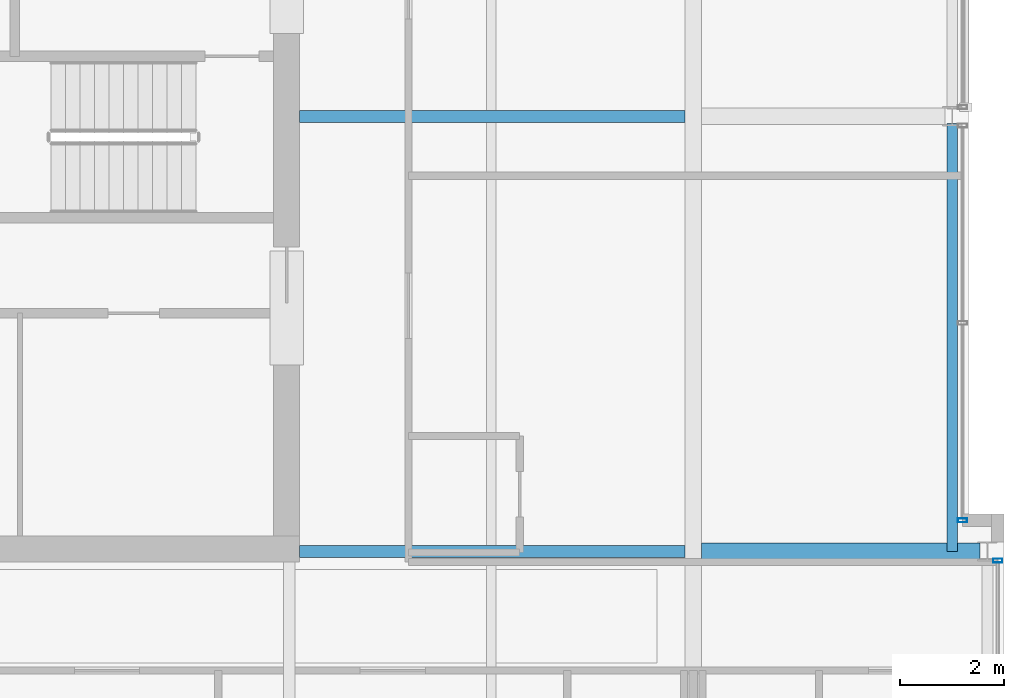
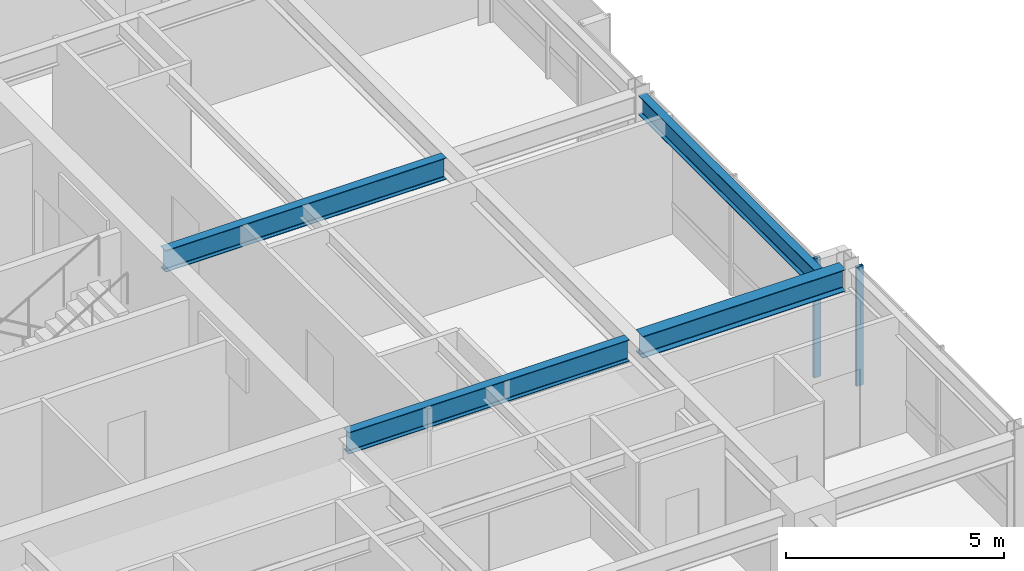
# One storey, part 14 of 32: 4 beams, 2 members, 2 elements without a shape of their own.
"""IFC4 building model written with IfcOpenShell, lengths in metres."""

from ifc_helpers import new_model, si_unit, direction, frame, origin, origin_2d, place, context, subcontext, project, spatial, hollow_rectangle, i_section, extrude, material, layer, layer_set, material_profile, profile_set, type_object, element, aggregate, save


model = new_model("IFC4")

# Units and contexts
model_context = context("Model", 3, precision=1e-05, world=origin(), true_north=direction((0.0, 1.0)))
body_context = subcontext(model_context, "Body", "Model", "MODEL_VIEW")
ifc_project = project(units=[si_unit("LENGTHUNIT", "METRE"), si_unit("AREAUNIT", "SQUARE_METRE"), si_unit("VOLUMEUNIT", "CUBIC_METRE"), si_unit("PLANEANGLEUNIT", "RADIAN"), si_unit("MASSUNIT", "GRAM", prefix="KILO")], contexts=[model_context])

# Site, building, storey
site_placement = place(None, origin())
site = spatial("IfcSite", under=ifc_project, at=site_placement, CompositionType="ELEMENT")
building_placement = place(site_placement, origin())
building = spatial("IfcBuilding", under=site, at=building_placement, Name="Drelvath Grand Hotel", CompositionType="ELEMENT")
storey_placement = place(building_placement, frame((0.0, 0.0, 241.10009765625)))
storey = spatial("IfcBuildingStorey", under=building, at=storey_placement, Name="L63", CompositionType="ELEMENT", Elevation=241.10009765625)

# Curtain wall, member
ifc_material_1 = material(Name="Platinum-Mist Anodised Aluminium Frame", Category="aluminium")
ifc_layer = layer(ifc_material_1, 0.199951171875)
ifc_layer_set = layer_set([ifc_layer], Name="Platinum-Mist Anodised Aluminium Frame")
curtain_wall_type = type_object("IfcCurtainWallType", Name="Stick Curtain Wall CW-05 Platinum Mist High-Rise", PredefinedType="NOTDEFINED", material=ifc_layer_set)
curtain_wall_1_placement = place(storey_placement, origin())
curtain_wall_1 = element("IfcCurtainWall", 1, at=curtain_wall_1_placement, inside=storey, type_object=curtain_wall_type, Name="L63 CW-05 Curtain Wall CW05-L63-EM1", PredefinedType="NOTDEFINED")
ifc_material_profile_1 = material_profile(ifc_material_1, hollow_rectangle(XDim=0.074951171875, YDim=0.179931640625, WallThickness=0.0048828125, at=origin_2d()), Name="HSS180X75X5")
ifc_profile_set_1 = profile_set([ifc_material_profile_1], Name="Platinum-Mist Anodised Aluminium Frame")
member_type = type_object("IfcMemberType", Name="Curtain Wall Vertical Mullion CW-05 HSS180X75X5", PredefinedType="MULLION", material=ifc_profile_set_1)
member_1_placement = place(storey_placement, frame((21.39990234375, 19.199951171875, 0.0), z_axis=(0.0, 0.0, 1.0), x_axis=(0.0, 1.0, 0.0)))
member_1 = element("IfcMember", 2, at=member_1_placement, type_object=member_type, Name="CW05-L63-EM1 Mullion 3", PredefinedType="MULLION", context=body_context, shape_type="SweptSolid", body=[
    extrude(hollow_rectangle(XDim=0.074951171875, YDim=0.179931640625, WallThickness=0.0048828125, at=origin_2d()), origin(), (0.0, 0.0, 1.0), 3.33984375),
])
aggregate(curtain_wall_1, [member_1])

curtain_wall_2_placement = place(storey_placement, origin())
curtain_wall_2 = element("IfcCurtainWall", 3, at=curtain_wall_2_placement, inside=storey, type_object=curtain_wall_type, Name="L63 CW-05 Curtain Wall CW05-L63-ES2", PredefinedType="NOTDEFINED")
member_2_placement = place(storey_placement, frame((22.080078125, 18.421875, 0.0), z_axis=(0.0, 0.0, 1.0), x_axis=(0.0, 1.0, 0.0)))
member_2 = element("IfcMember", 4, at=member_2_placement, type_object=member_type, Name="CW05-L63-ES2 Mullion 1", PredefinedType="MULLION", context=body_context, shape_type="SweptSolid", body=[
    extrude(hollow_rectangle(XDim=0.074951171875, YDim=0.179931640625, WallThickness=0.0048828125, at=origin_2d()), origin(), (0.0, 0.0, 1.0), 3.33984375),
])
aggregate(curtain_wall_2, [member_2])

# Beams
ifc_material_2 = material(Name="Steel ASTM A992 Gr 50", Category="steel")
ifc_material_profile_2 = material_profile(ifc_material_2, i_section(OverallWidth=0.210205078125, OverallDepth=0.53662109375, WebThickness=0.010986328125, FlangeThickness=0.017333984375, FilletRadius=0.01806640625, at=origin_2d()), Name="W21X68")
ifc_profile_set_2 = profile_set([ifc_material_profile_2], Name="Steel ASTM A992 Gr 50")
beam_type_1 = type_object("IfcBeamType", Name="Perimeter Spandrel Beam W21X68", PredefinedType="SPANDREL", material=ifc_profile_set_2)
beam_1_placement = place(storey_placement, frame((21.199951171875, 18.60009765625, 3.071533203125), z_axis=(0.0, 1.0, 0.0), x_axis=(-1.0, 0.0, 0.0)))
element("IfcBeam", 5, at=beam_1_placement, inside=storey, type_object=beam_type_1, Name="L63 Spandrel East Mid S", PredefinedType="SPANDREL", context=body_context, shape_type="SweptSolid", body=[
    extrude(i_section(OverallWidth=0.210205078125, OverallDepth=0.53662109375, WebThickness=0.010986328125, FlangeThickness=0.017333984375, FilletRadius=0.01806640625, at=origin_2d()), origin(), (0.0, 0.0, 1.0), 8.260009765625),
])
ifc_material_profile_3 = material_profile(ifc_material_2, i_section(OverallWidth=0.323974609375, OverallDepth=0.611083984375, WebThickness=0.0126953125, FlangeThickness=0.01904296875, FilletRadius=0.02197265625, at=origin_2d()), Name="W24X104")
ifc_profile_set_3 = profile_set([ifc_material_profile_3], Name="Steel ASTM A992 Gr 50")
beam_type_2 = type_object("IfcBeamType", Name="Primary Floor Girder W24X104", PredefinedType="BEAM", material=ifc_profile_set_3)
beam_2_placement = place(storey_placement, frame((16.362060546875, 18.60009765625, 3.034423828125), z_axis=(1.0, 0.0, 0.0), x_axis=(0.0, 1.0, 0.0)))
element("IfcBeam", 6, at=beam_2_placement, inside=storey, type_object=beam_type_2, Name="L63 East Wing Girder D", PredefinedType="BEAM", context=body_context, shape_type="SweptSolid", body=[
    extrude(i_section(OverallWidth=0.323974609375, OverallDepth=0.611083984375, WebThickness=0.0126953125, FlangeThickness=0.01904296875, FilletRadius=0.02197265625, at=origin_2d()), origin(), (0.0, 0.0, 1.0), 5.3779296875),
])
ifc_material_profile_4 = material_profile(ifc_material_2, i_section(OverallWidth=0.228271484375, OverallDepth=0.607666015625, WebThickness=0.01123046875, FlangeThickness=0.017333984375, FilletRadius=0.02001953125, at=origin_2d()), Name="W24X76")
ifc_profile_set_4 = profile_set([ifc_material_profile_4], Name="Steel ASTM A992 Gr 50")
beam_type_3 = type_object("IfcBeamType", Name="Primary Floor Girder W24X76", PredefinedType="BEAM", material=ifc_profile_set_4)
for number, where, z_axis, x_axis, name in (
    (7, (8.60009765625, 18.60009765625, 3.0361328125), (1.0, 0.0, 0.0), (0.0, 1.0, 0.0), "L63 East Core Tie D"),
    (8, (8.60009765625, 27.0, 3.0361328125), (1.0, 0.0, 0.0), (0.0, 1.0, 0.0), "L63 East Core Tie E"),
):
    element("IfcBeam", number, at=place(storey_placement, frame(where, z_axis=z_axis, x_axis=x_axis)), inside=storey, type_object=beam_type_3, Name=name, PredefinedType="BEAM", context=body_context, shape_type="SweptSolid", body=[
        extrude(i_section(OverallWidth=0.228271484375, OverallDepth=0.607666015625, WebThickness=0.01123046875, FlangeThickness=0.017333984375, FilletRadius=0.02001953125, at=origin_2d()), origin(), (0.0, 0.0, 1.0), 7.43798828125),
    ])

save(model, "model.ifc")
